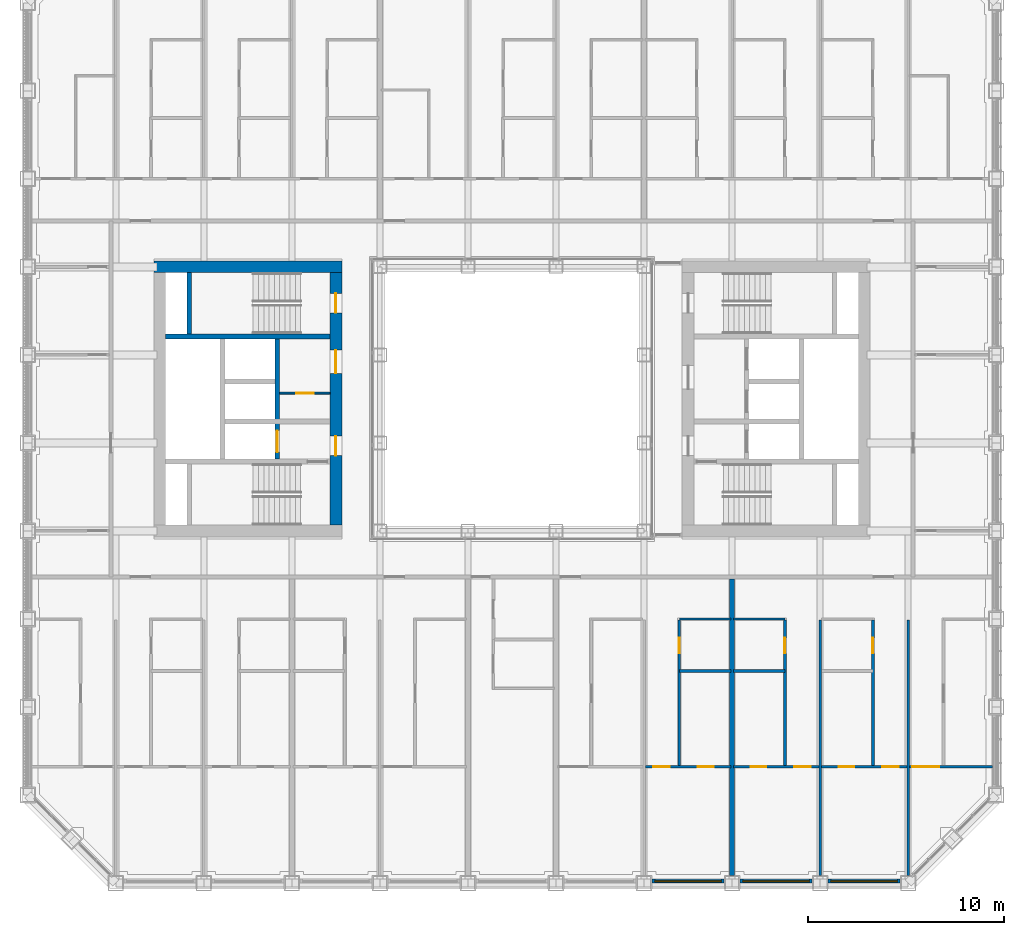
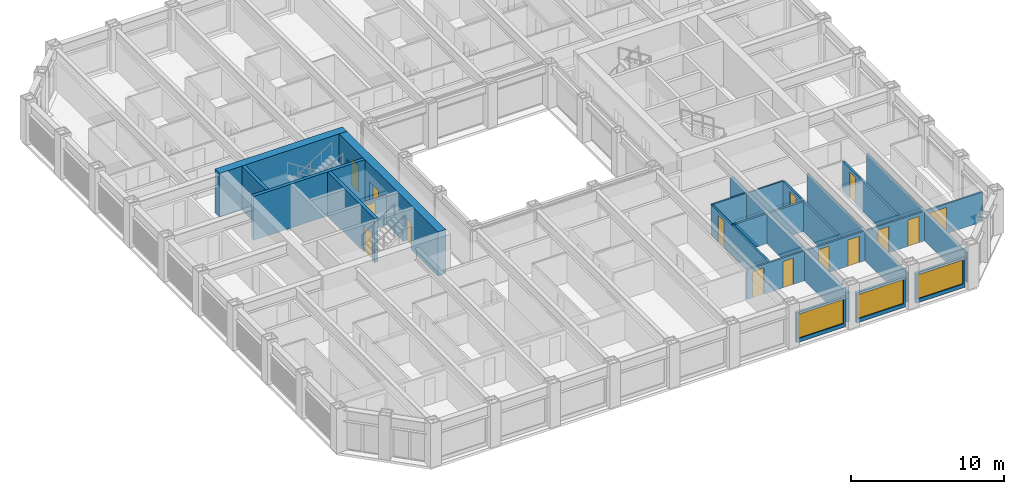
# One storey, part 11 of 21: 23 walls, 15 doors, 3 windows, 18 openings.
"""IFC4 building model written with IfcOpenShell, lengths in metres."""

from ifc_helpers import new_model, si_unit, direction, frame, frame_2d, origin, place, context, subcontext, project, spatial, rectangle, extrude, material, layer, layer_set, type_object, element, fill, save


model = new_model("IFC4")

# Units and contexts
model_context = context("Model", 3, precision=1e-05, world=origin(), true_north=direction((0.0, 1.0)))
body_context = subcontext(model_context, "Body", "Model", "MODEL_VIEW")
ifc_project = project(units=[si_unit("LENGTHUNIT", "METRE"), si_unit("AREAUNIT", "SQUARE_METRE"), si_unit("VOLUMEUNIT", "CUBIC_METRE"), si_unit("PLANEANGLEUNIT", "RADIAN"), si_unit("MASSUNIT", "GRAM", prefix="KILO")], contexts=[model_context])

# Site, building, storey
site_placement = place(None, origin())
site = spatial("IfcSite", under=ifc_project, at=site_placement, CompositionType="ELEMENT")
building_placement = place(site_placement, origin())
building = spatial("IfcBuilding", under=site, at=building_placement, Name="Msasa Ring Tower", CompositionType="ELEMENT")
storey_placement = place(building_placement, frame((0.0, 0.0, 72.0)))
storey = spatial("IfcBuildingStorey", under=building, at=storey_placement, Name="L18", CompositionType="ELEMENT", Elevation=72.0)

# Wall
ifc_material_1 = material(Name="Concrete C60/75", Category="concrete")
ifc_layer_1 = layer(ifc_material_1, 0.60009765625)
ifc_layer_set_1 = layer_set([ifc_layer_1], Name="CW1 CORE WALL 600")
wall_type_1 = type_object("IfcWallType", Name="CW1 CORE WALL 600", PredefinedType="SHEAR", material=ifc_layer_set_1)
wall_1_placement = place(storey_placement, frame((-8.699951171875, 6.75, 0.0), z_axis=(0.0, 0.0, 1.0), x_axis=(-1.0, 0.0, 0.0)))
element("IfcWall", 1, at=wall_1_placement, inside=storey, type_object=wall_type_1, Name="W core wall N L18", PredefinedType="SHEAR", context=body_context, shape_type="SweptSolid", body=[
    extrude(rectangle(XDim=9.60009765625, YDim=0.60009765625, at=frame_2d((4.800048828125, 0.0))), origin(), (0.0, 0.0, 1.0), 3.5),
])

# Wall, openings, doors
wall_2_placement = place(storey_placement, frame((-9.0, -6.449951171875, 0.0), z_axis=(0.0, 0.0, 1.0), x_axis=(0.0, 1.0, 0.0)))
wall_2 = element("IfcWall", 2, at=wall_2_placement, inside=storey, type_object=wall_type_1, Name="W core wall W L18", PredefinedType="SHEAR", context=body_context, shape_type="SweptSolid", body=[
    extrude(rectangle(XDim=12.89990234375, YDim=0.60009765625, at=frame_2d((6.449951171875, 0.0))), origin(), (0.0, 0.0, 1.0), 3.5),
])
opening_1_placement = place(wall_2_placement, frame((3.550048828125, 0.0, 0.0)))
opening_1 = element("IfcOpeningElement", 3, at=opening_1_placement, cuts=wall_2, Name="Opening RE-049", PredefinedType="OPENING", context=body_context, shape_type="SweptSolid", body=[
    extrude(rectangle(XDim=1.0, YDim=2.10009765625, at=frame_2d((0.5, 1.050048828125))), frame((0.0, 0.31005859375, 0.0), z_axis=(0.0, -1.0, 0.0), x_axis=(1.0, 0.0, 0.0)), (0.0, 0.0, 1.0), 0.6201171875),
])
opening_2_placement = place(wall_2_placement, frame((7.75, 0.0, 0.0)))
opening_2 = element("IfcOpeningElement", 4, at=opening_2_placement, cuts=wall_2, Name="Opening RE-044", PredefinedType="OPENING", context=body_context, shape_type="SweptSolid", body=[
    extrude(rectangle(XDim=1.199951171875, YDim=2.10009765625, at=frame_2d((0.60009765625, 1.050048828125))), frame((0.0, 0.31005859375, 0.0), z_axis=(0.0, -1.0, 0.0), x_axis=(1.0, 0.0, 0.0)), (0.0, 0.0, 1.0), 0.6201171875),
])
opening_3_placement = place(wall_2_placement, frame((10.85009765625, 0.0, 0.0)))
opening_3 = element("IfcOpeningElement", 5, at=opening_3_placement, cuts=wall_2, Name="Opening RE-040", PredefinedType="OPENING", context=body_context, shape_type="SweptSolid", body=[
    extrude(rectangle(XDim=1.0, YDim=2.10009765625, at=frame_2d((0.5, 1.050048828125))), frame((0.0, 0.31005859375, 0.0), z_axis=(0.0, -1.0, 0.0), x_axis=(1.0, 0.0, 0.0)), (0.0, 0.0, 1.0), 0.6201171875),
])
ifc_material_2 = material(Name="Timber door leaf in a steel frame", Category="steel")
door_type_1 = type_object("IfcDoorType", Name="D26 WIDE SERVICE ROOM DOOR 1200x2100", OperationType="SINGLE_SWING_LEFT", PredefinedType="DOOR", material=ifc_material_2)
door_1_placement = place(opening_2_placement, origin())
door_1 = element("IfcDoor", 6, at=door_1_placement, inside=storey, type_object=door_type_1, Name="Door L18-WCR", OperationType="SINGLE_SWING_RIGHT", OverallHeight=2.10009765625, OverallWidth=1.199951171875, PredefinedType="DOOR", context=body_context, shape_type="SweptSolid", body=[
    extrude(rectangle(XDim=1.199951171875, YDim=2.10009765625, at=frame_2d((0.60009765625, 1.050048828125))), frame((0.0, 0.02490234375, 0.0), z_axis=(0.0, -1.0, 0.0), x_axis=(1.0, 0.0, 0.0)), (0.0, 0.0, 1.0), 0.050048828125),
])
fill(opening_2, door_1)
ifc_material_3 = material(Name="Timber door leaf in a steel frame", Category="steel")
door_type_2 = type_object("IfcDoorType", Name="D4 LOBBY DOOR 1000x2100", OperationType="SINGLE_SWING_LEFT", PredefinedType="DOOR", material=ifc_material_3)
door_2_placement = place(opening_1_placement, origin())
door_2 = element("IfcDoor", 7, at=door_2_placement, inside=storey, type_object=door_type_2, Name="Door L18-WFFL", OperationType="SINGLE_SWING_LEFT", OverallHeight=2.10009765625, OverallWidth=1.0, PredefinedType="DOOR", context=body_context, shape_type="SweptSolid", body=[
    extrude(rectangle(XDim=1.0, YDim=2.10009765625, at=frame_2d((0.5, 1.050048828125))), frame((0.0, 0.02490234375, 0.0), z_axis=(0.0, -1.0, 0.0), x_axis=(1.0, 0.0, 0.0)), (0.0, 0.0, 1.0), 0.050048828125),
])
fill(opening_1, door_2)
ifc_material_4 = material(Name="Timber door leaf in a steel frame", Category="steel")
door_type_3 = type_object("IfcDoorType", Name="D6 STAIR DOOR 1000x2100", OperationType="SINGLE_SWING_LEFT", PredefinedType="DOOR", material=ifc_material_4)
door_3_placement = place(opening_3_placement, origin())
door_3 = element("IfcDoor", 8, at=door_3_placement, inside=storey, type_object=door_type_3, Name="Door L18-WSTB", OperationType="SINGLE_SWING_RIGHT", OverallHeight=2.10009765625, OverallWidth=1.0, PredefinedType="DOOR", context=body_context, shape_type="SweptSolid", body=[
    extrude(rectangle(XDim=1.0, YDim=2.10009765625, at=frame_2d((0.5, 1.050048828125))), frame((0.0, 0.02490234375, 0.0), z_axis=(0.0, -1.0, 0.0), x_axis=(1.0, 0.0, 0.0)), (0.0, 0.0, 1.0), 0.050048828125),
])
fill(opening_3, door_3)

# Walls
ifc_material_5 = material(Name="Concrete C60/75", Category="concrete")
ifc_layer_2 = layer(ifc_material_5, 0.25)
ifc_layer_set_2 = layer_set([ifc_layer_2], Name="CW4 CORE INNER WALL 250")
wall_type_2 = type_object("IfcWallType", Name="CW4 CORE INNER WALL 250", PredefinedType="SHEAR", material=ifc_layer_set_2)
wall_3_placement = place(storey_placement, frame((-9.300048828125, 3.199951171875, 0.0), z_axis=(0.0, 0.0, 1.0), x_axis=(-1.0, 0.0, 0.0)))
element("IfcWall", 9, at=wall_3_placement, inside=storey, type_object=wall_type_2, Name="W core wall STAIRB L18", PredefinedType="SHEAR", context=body_context, shape_type="SweptSolid", body=[
    extrude(rectangle(XDim=8.39990234375, YDim=0.25, at=frame_2d((4.199951171875, 0.0))), origin(), (0.0, 0.0, 1.0), 3.5),
])
wall_4_placement = place(storey_placement, frame((-16.5, 3.324951171875, 0.0), z_axis=(0.0, 0.0, 1.0), x_axis=(0.0, 1.0, 0.0)))
element("IfcWall", 10, at=wall_4_placement, inside=storey, type_object=wall_type_2, Name="W core wall RISERB L18", PredefinedType="SHEAR", context=body_context, shape_type="SweptSolid", body=[
    extrude(rectangle(XDim=3.125, YDim=0.25, at=frame_2d((1.5625, 0.0))), origin(), (0.0, 0.0, 1.0), 3.5),
])

# Wall, opening, door
wall_5_placement = place(storey_placement, frame((-12.0, -3.074951171875, 0.0), z_axis=(0.0, 0.0, 1.0), x_axis=(0.0, 1.0, 0.0)))
wall_5 = element("IfcWall", 11, at=wall_5_placement, inside=storey, type_object=wall_type_2, Name="W core wall LOBBY L18", PredefinedType="SHEAR", context=body_context, shape_type="SweptSolid", body=[
    extrude(rectangle(XDim=6.14990234375, YDim=0.25, at=frame_2d((3.074951171875, 0.0))), origin(), (0.0, 0.0, 1.0), 3.5),
])
opening_4_placement = place(wall_5_placement, frame((0.35009765625, 0.0, 0.0)))
opening_4 = element("IfcOpeningElement", 12, at=opening_4_placement, cuts=wall_5, Name="Opening LD1", PredefinedType="OPENING", context=body_context, shape_type="SweptSolid", body=[
    extrude(rectangle(XDim=1.10009765625, YDim=2.10009765625, at=frame_2d((0.550048828125, 1.050048828125))), frame((0.0, 0.135009765625, 0.0), z_axis=(0.0, -1.0, 0.0), x_axis=(1.0, 0.0, 0.0)), (0.0, 0.0, 1.0), 0.27001953125),
])
ifc_material_6 = material(Name="Stainless steel lift landing door", Category="steel")
door_type_4 = type_object("IfcDoorType", Name="LD1 LIFT LANDING DOOR 1100x2100", OperationType="DOUBLE_DOOR_SLIDING", PredefinedType="DOOR", material=ifc_material_6)
door_4_placement = place(opening_4_placement, origin())
door_4 = element("IfcDoor", 13, at=door_4_placement, inside=storey, type_object=door_type_4, Name="Lift landing door FL-W L18", OperationType="DOUBLE_DOOR_SLIDING", OverallHeight=2.10009765625, OverallWidth=1.10009765625, PredefinedType="DOOR", context=body_context, shape_type="SweptSolid", body=[
    extrude(rectangle(XDim=1.10009765625, YDim=2.10009765625, at=frame_2d((0.550048828125, 1.050048828125))), frame((0.0, 0.02490234375, 0.0), z_axis=(0.0, -1.0, 0.0), x_axis=(1.0, 0.0, 0.0)), (0.0, 0.0, 1.0), 0.050048828125),
])
fill(opening_4, door_4)

# Wall, opening, window
ifc_material_7 = material(Name="Terracotta rainscreen on blockwork", Category="masonry")
ifc_layer_3 = layer(ifc_material_7, 0.199951171875)
ifc_layer_set_3 = layer_set([ifc_layer_3], Name="FW1 TERRACOTTA-LINED INFILL BAY WALL 200")
wall_type_3 = type_object("IfcWallType", Name="FW1 TERRACOTTA-LINED INFILL BAY WALL 200", PredefinedType="SOLIDWALL", material=ifc_layer_set_3)
wall_6_placement = place(storey_placement, frame((7.155029296875, -24.64990234375, 0.0), z_axis=(0.0, 0.0, 1.0), x_axis=(1.0, 0.0, 0.0)))
wall_6 = element("IfcWall", 14, at=wall_6_placement, inside=storey, type_object=wall_type_3, Name="Infill bay wall S L18 06", PredefinedType="SOLIDWALL", context=body_context, shape_type="SweptSolid", body=[
    extrude(rectangle(XDim=3.68994140625, YDim=0.199951171875, at=frame_2d((1.844970703125, 0.0))), origin(), (0.0, 0.0, 1.0), 2.37890625),
])
opening_5_placement = place(wall_6_placement, frame((0.14501953125, 0.0, 0.300048828125)))
opening_5 = element("IfcOpeningElement", 15, at=opening_5_placement, cuts=wall_6, Name="Opening WN1", PredefinedType="OPENING", context=body_context, shape_type="SweptSolid", body=[
    extrude(rectangle(XDim=3.39990234375, YDim=1.928955078125, at=frame_2d((1.699951171875, 0.96435546875))), frame((0.0, 0.10986328125, 0.0), z_axis=(0.0, -1.0, 0.0), x_axis=(1.0, 0.0, 0.0)), (0.0, 0.0, 1.0), 0.219970703125),
])
ifc_material_8 = material(Name="Aluminium frame with clear glass", Category="aluminium")
window_type = type_object("IfcWindowType", Name="WN1 RESIDENCE WINDOW 3400x1929", PartitioningType="SINGLE_PANEL", PredefinedType="WINDOW", material=ifc_material_8)
window_1_placement = place(opening_5_placement, origin())
window_1 = element("IfcWindow", 16, at=window_1_placement, inside=storey, type_object=window_type, Name="Window S L18 06", OverallHeight=1.928955078125, OverallWidth=3.39990234375, PartitioningType="SINGLE_PANEL", PredefinedType="WINDOW", context=body_context, shape_type="SweptSolid", body=[
    extrude(rectangle(XDim=3.39990234375, YDim=1.928955078125, at=frame_2d((1.699951171875, 0.96435546875))), frame((0.0, 0.030029296875, 0.0), z_axis=(0.0, -1.0, 0.0), x_axis=(1.0, 0.0, 0.0)), (0.0, 0.0, 1.0), 0.06005859375),
])
fill(opening_5, window_1)

wall_7_placement = place(storey_placement, frame((11.655029296875, -24.64990234375, 0.0), z_axis=(0.0, 0.0, 1.0), x_axis=(1.0, 0.0, 0.0)))
wall_7 = element("IfcWall", 17, at=wall_7_placement, inside=storey, type_object=wall_type_3, Name="Infill bay wall S L18 07", PredefinedType="SOLIDWALL", context=body_context, shape_type="SweptSolid", body=[
    extrude(rectangle(XDim=3.68994140625, YDim=0.199951171875, at=frame_2d((1.844970703125, 0.0))), origin(), (0.0, 0.0, 1.0), 2.37890625),
])
opening_6_placement = place(wall_7_placement, frame((0.14501953125, 0.0, 0.300048828125)))
opening_6 = element("IfcOpeningElement", 18, at=opening_6_placement, cuts=wall_7, Name="Opening WN1", PredefinedType="OPENING", context=body_context, shape_type="SweptSolid", body=[
    extrude(rectangle(XDim=3.39990234375, YDim=1.928955078125, at=frame_2d((1.699951171875, 0.96435546875))), frame((0.0, 0.10986328125, 0.0), z_axis=(0.0, -1.0, 0.0), x_axis=(1.0, 0.0, 0.0)), (0.0, 0.0, 1.0), 0.219970703125),
])
window_2_placement = place(opening_6_placement, origin())
window_2 = element("IfcWindow", 19, at=window_2_placement, inside=storey, type_object=window_type, Name="Window S L18 07", OverallHeight=1.928955078125, OverallWidth=3.39990234375, PartitioningType="SINGLE_PANEL", PredefinedType="WINDOW", context=body_context, shape_type="SweptSolid", body=[
    extrude(rectangle(XDim=3.39990234375, YDim=1.928955078125, at=frame_2d((1.699951171875, 0.96435546875))), frame((0.0, 0.030029296875, 0.0), z_axis=(0.0, -1.0, 0.0), x_axis=(1.0, 0.0, 0.0)), (0.0, 0.0, 1.0), 0.06005859375),
])
fill(opening_6, window_2)

wall_8_placement = place(storey_placement, frame((16.155029296875, -24.64990234375, 0.0), z_axis=(0.0, 0.0, 1.0), x_axis=(1.0, 0.0, 0.0)))
wall_8 = element("IfcWall", 20, at=wall_8_placement, inside=storey, type_object=wall_type_3, Name="Infill bay wall S L18 08", PredefinedType="SOLIDWALL", context=body_context, shape_type="SweptSolid", body=[
    extrude(rectangle(XDim=3.68994140625, YDim=0.199951171875, at=frame_2d((1.844970703125, 0.0))), origin(), (0.0, 0.0, 1.0), 2.37890625),
])
opening_7_placement = place(wall_8_placement, frame((0.14501953125, 0.0, 0.300048828125)))
opening_7 = element("IfcOpeningElement", 21, at=opening_7_placement, cuts=wall_8, Name="Opening WN1", PredefinedType="OPENING", context=body_context, shape_type="SweptSolid", body=[
    extrude(rectangle(XDim=3.39990234375, YDim=1.928955078125, at=frame_2d((1.699951171875, 0.96435546875))), frame((0.0, 0.10986328125, 0.0), z_axis=(0.0, -1.0, 0.0), x_axis=(1.0, 0.0, 0.0)), (0.0, 0.0, 1.0), 0.219970703125),
])
window_3_placement = place(opening_7_placement, origin())
window_3 = element("IfcWindow", 22, at=window_3_placement, inside=storey, type_object=window_type, Name="Window S L18 08", OverallHeight=1.928955078125, OverallWidth=3.39990234375, PartitioningType="SINGLE_PANEL", PredefinedType="WINDOW", context=body_context, shape_type="SweptSolid", body=[
    extrude(rectangle(XDim=3.39990234375, YDim=1.928955078125, at=frame_2d((1.699951171875, 0.96435546875))), frame((0.0, 0.030029296875, 0.0), z_axis=(0.0, -1.0, 0.0), x_axis=(1.0, 0.0, 0.0)), (0.0, 0.0, 1.0), 0.06005859375),
])
fill(opening_7, window_3)

# Wall, opening, door
ifc_material_9 = material(Name="Gypsum board on steel studs", Category="steel")
ifc_layer_4 = layer(ifc_material_9, 0.10009765625)
ifc_layer_set_4 = layer_set([ifc_layer_4], Name="PT2 STUD PARTITION 100")
wall_type_4 = type_object("IfcWallType", Name="PT2 STUD PARTITION 100", PredefinedType="PARTITIONING", material=ifc_layer_set_4)
wall_9_placement = place(storey_placement, frame((-11.875, 0.300048828125, 0.0), z_axis=(0.0, 0.0, 1.0), x_axis=(1.0, 0.0, 0.0)))
wall_9 = element("IfcWall", 23, at=wall_9_placement, inside=storey, type_object=wall_type_4, Name="Partition L18-WCP", PredefinedType="PARTITIONING", context=body_context, shape_type="SweptSolid", body=[
    extrude(rectangle(XDim=2.574951171875, YDim=0.10009765625, at=frame_2d((1.28759765625, 0.0))), origin(), (0.0, 0.0, 1.0), 2.373291015625),
])
opening_8_placement = place(wall_9_placement, frame((0.83740234375, 0.0, 0.0)))
opening_8 = element("IfcOpeningElement", 24, at=opening_8_placement, cuts=wall_9, Name="Opening RE-046", PredefinedType="OPENING", context=body_context, shape_type="SweptSolid", body=[
    extrude(rectangle(XDim=0.89990234375, YDim=2.10009765625, at=frame_2d((0.449951171875, 1.050048828125))), frame((0.0, 0.06005859375, 0.0), z_axis=(0.0, -1.0, 0.0), x_axis=(1.0, 0.0, 0.0)), (0.0, 0.0, 1.0), 0.1201171875),
])
ifc_material_10 = material(Name="Timber door leaf in a steel frame", Category="steel")
door_type_5 = type_object("IfcDoorType", Name="D22 INTERNAL HALL DOOR 900x2100", OperationType="SINGLE_SWING_LEFT", PredefinedType="DOOR", material=ifc_material_10)
door_5_placement = place(opening_8_placement, origin())
door_5 = element("IfcDoor", 25, at=door_5_placement, inside=storey, type_object=door_type_5, Name="Door L18-WCP", OperationType="SINGLE_SWING_LEFT", OverallHeight=2.10009765625, OverallWidth=0.89990234375, PredefinedType="DOOR", context=body_context, shape_type="SweptSolid", body=[
    extrude(rectangle(XDim=0.89990234375, YDim=2.10009765625, at=frame_2d((0.449951171875, 1.050048828125))), frame((0.0, 0.02490234375, 0.0), z_axis=(0.0, -1.0, 0.0), x_axis=(1.0, 0.0, 0.0)), (0.0, 0.0, 1.0), 0.050048828125),
])
fill(opening_8, door_5)

# Wall
ifc_material_11 = material(Name="Dense concrete blockwork, plastered both faces", Category="masonry")
ifc_layer_5 = layer(ifc_material_11, 0.25)
ifc_layer_set_5 = layer_set([ifc_layer_5], Name="PT3 APARTMENT SEPARATING WALL 250")
wall_type_5 = type_object("IfcWallType", Name="PT3 APARTMENT SEPARATING WALL 250", PredefinedType="PARTITIONING", material=ifc_layer_set_5)
wall_10_placement = place(storey_placement, frame((11.25, -24.35009765625, 0.0), z_axis=(0.0, 0.0, 1.0), x_axis=(0.0, 1.0, 0.0)))
element("IfcWall", 26, at=wall_10_placement, inside=storey, type_object=wall_type_5, Name="Party wall L18-PWS+11.25", PredefinedType="PARTITIONING", context=body_context, shape_type="SweptSolid", body=[
    extrude(rectangle(XDim=15.150146484375, YDim=0.25, at=frame_2d((7.5751953125, 0.0))), origin(), (0.0, 0.0, 1.0), 2.373291015625),
])

# Wall, opening, door
ifc_material_12 = material(Name="Moisture-resistant board on steel studs with a concealed cistern and pipe void, tiled", Category="steel")
ifc_layer_6 = layer(ifc_material_12, 0.14990234375)
ifc_layer_set_6 = layer_set([ifc_layer_6], Name="PT4 BATHROOM WET WALL 150")
wall_type_6 = type_object("IfcWallType", Name="PT4 BATHROOM WET WALL 150", PredefinedType="PARTITIONING", material=ifc_layer_set_6)
wall_11_placement = place(storey_placement, frame((8.550048828125, -18.8125, 0.0), z_axis=(0.0, 0.0, 1.0), x_axis=(0.0, 1.0, 0.0)))
wall_11 = element("IfcWall", 27, at=wall_11_placement, inside=storey, type_object=wall_type_6, Name="Partition L18-US03SX1", PredefinedType="PARTITIONING", context=body_context, shape_type="SweptSolid", body=[
    extrude(rectangle(XDim=7.5, YDim=0.14990234375, at=frame_2d((3.75, 0.0))), origin(), (0.0, 0.0, 1.0), 2.373291015625),
])
opening_9_placement = place(wall_11_placement, frame((5.800048828125, 0.0, 0.0)))
opening_9 = element("IfcOpeningElement", 28, at=opening_9_placement, cuts=wall_11, Name="Opening RE-065", PredefinedType="OPENING", context=body_context, shape_type="SweptSolid", body=[
    extrude(rectangle(XDim=0.800048828125, YDim=2.10009765625, at=frame_2d((0.39990234375, 1.050048828125))), frame((0.0, 0.0849609375, 0.0), z_axis=(0.0, -1.0, 0.0), x_axis=(1.0, 0.0, 0.0)), (0.0, 0.0, 1.0), 0.169921875),
])
ifc_material_13 = material(Name="Timber door leaf in a steel frame", Category="steel")
door_type_6 = type_object("IfcDoorType", Name="D21 POCKET SLIDING BATHROOM DOOR 800x2100", OperationType="SINGLE_SWING_LEFT", PredefinedType="DOOR", material=ifc_material_13)
door_6_placement = place(opening_9_placement, origin())
door_6 = element("IfcDoor", 29, at=door_6_placement, inside=storey, type_object=door_type_6, Name="Door L18-US03B1", OperationType="SINGLE_SWING_RIGHT", OverallHeight=2.10009765625, OverallWidth=0.800048828125, PredefinedType="DOOR", context=body_context, shape_type="SweptSolid", body=[
    extrude(rectangle(XDim=0.800048828125, YDim=2.10009765625, at=frame_2d((0.39990234375, 1.050048828125))), frame((0.0, 0.02490234375, 0.0), z_axis=(0.0, -1.0, 0.0), x_axis=(1.0, 0.0, 0.0)), (0.0, 0.0, 1.0), 0.050048828125),
])
fill(opening_9, door_6)

# Wall
wall_12_placement = place(storey_placement, frame((8.550048828125, -13.91259765625, 0.0), z_axis=(0.0, 0.0, 1.0), x_axis=(1.0, 0.0, 0.0)))
element("IfcWall", 30, at=wall_12_placement, inside=storey, type_object=wall_type_6, Name="Partition L18-US03SB1", PredefinedType="PARTITIONING", context=body_context, shape_type="SweptSolid", body=[
    extrude(rectangle(XDim=2.632568359375, YDim=0.14990234375, at=frame_2d((1.31640625, 0.0))), origin(), (0.0, 0.0, 1.0), 2.373291015625),
])

# Wall, opening, door
wall_13_placement = place(storey_placement, frame((18.449951171875, -18.8125, 0.0), z_axis=(0.0, 0.0, 1.0), x_axis=(0.0, 1.0, 0.0)))
wall_13 = element("IfcWall", 31, at=wall_13_placement, inside=storey, type_object=wall_type_6, Name="Partition L18-US04SX1", PredefinedType="PARTITIONING", context=body_context, shape_type="SweptSolid", body=[
    extrude(rectangle(XDim=7.5, YDim=0.14990234375, at=frame_2d((3.75, 0.0))), origin(), (0.0, 0.0, 1.0), 2.373291015625),
])
opening_10_placement = place(wall_13_placement, frame((5.800048828125, 0.0, 0.0)))
opening_10 = element("IfcOpeningElement", 32, at=opening_10_placement, cuts=wall_13, Name="Opening RE-067", PredefinedType="OPENING", context=body_context, shape_type="SweptSolid", body=[
    extrude(rectangle(XDim=0.800048828125, YDim=2.10009765625, at=frame_2d((0.39990234375, 1.050048828125))), frame((0.0, 0.0849609375, 0.0), z_axis=(0.0, -1.0, 0.0), x_axis=(1.0, 0.0, 0.0)), (0.0, 0.0, 1.0), 0.169921875),
])
door_7_placement = place(opening_10_placement, origin())
door_7 = element("IfcDoor", 33, at=door_7_placement, inside=storey, type_object=door_type_6, Name="Door L18-US04B1", OperationType="SINGLE_SWING_RIGHT", OverallHeight=2.10009765625, OverallWidth=0.800048828125, PredefinedType="DOOR", context=body_context, shape_type="SweptSolid", body=[
    extrude(rectangle(XDim=0.800048828125, YDim=2.10009765625, at=frame_2d((0.39990234375, 1.050048828125))), frame((0.0, 0.02490234375, 0.0), z_axis=(0.0, -1.0, 0.0), x_axis=(1.0, 0.0, 0.0)), (0.0, 0.0, 1.0), 0.050048828125),
])
fill(opening_10, door_7)

wall_14_placement = place(storey_placement, frame((13.949951171875, -18.8125, 0.0), z_axis=(0.0, 0.0, 1.0), x_axis=(0.0, 1.0, 0.0)))
wall_14 = element("IfcWall", 34, at=wall_14_placement, inside=storey, type_object=wall_type_6, Name="Partition L18-US04SX2", PredefinedType="PARTITIONING", context=body_context, shape_type="SweptSolid", body=[
    extrude(rectangle(XDim=7.5, YDim=0.14990234375, at=frame_2d((3.75, 0.0))), origin(), (0.0, 0.0, 1.0), 2.373291015625),
])
opening_11_placement = place(wall_14_placement, frame((5.800048828125, 0.0, 0.0)))
opening_11 = element("IfcOpeningElement", 35, at=opening_11_placement, cuts=wall_14, Name="Opening RE-066", PredefinedType="OPENING", context=body_context, shape_type="SweptSolid", body=[
    extrude(rectangle(XDim=0.800048828125, YDim=2.10009765625, at=frame_2d((0.39990234375, 1.050048828125))), frame((0.0, 0.0849609375, 0.0), z_axis=(0.0, -1.0, 0.0), x_axis=(1.0, 0.0, 0.0)), (0.0, 0.0, 1.0), 0.169921875),
])
door_8_placement = place(opening_11_placement, origin())
door_8 = element("IfcDoor", 36, at=door_8_placement, inside=storey, type_object=door_type_6, Name="Door L18-US04B2", OperationType="SINGLE_SWING_RIGHT", OverallHeight=2.10009765625, OverallWidth=0.800048828125, PredefinedType="DOOR", context=body_context, shape_type="SweptSolid", body=[
    extrude(rectangle(XDim=0.800048828125, YDim=2.10009765625, at=frame_2d((0.39990234375, 1.050048828125))), frame((0.0, 0.02490234375, 0.0), z_axis=(0.0, -1.0, 0.0), x_axis=(1.0, 0.0, 0.0)), (0.0, 0.0, 1.0), 0.050048828125),
])
fill(opening_11, door_8)

# Walls
wall_15_placement = place(storey_placement, frame((11.3173828125, -13.91259765625, 0.0), z_axis=(0.0, 0.0, 1.0), x_axis=(1.0, 0.0, 0.0)))
element("IfcWall", 37, at=wall_15_placement, inside=storey, type_object=wall_type_6, Name="Partition L18-US04SB2", PredefinedType="PARTITIONING", context=body_context, shape_type="SweptSolid", body=[
    extrude(rectangle(XDim=2.632568359375, YDim=0.14990234375, at=frame_2d((1.31640625, 0.0))), origin(), (0.0, 0.0, 1.0), 2.373291015625),
])
ifc_material_14 = material(Name="Two layers of acoustic board each face on steel studs, mineral wool", Category="steel")
ifc_layer_7 = layer(ifc_material_14, 0.125)
ifc_layer_set_7 = layer_set([ifc_layer_7], Name="PT6 ACOUSTIC DOUBLE-BOARD PARTITION 125")
wall_type_7 = type_object("IfcWallType", Name="PT6 ACOUSTIC DOUBLE-BOARD PARTITION 125", PredefinedType="PARTITIONING", material=ifc_layer_set_7)
wall_16_placement = place(storey_placement, frame((8.550048828125, -11.25, 0.0), z_axis=(0.0, 0.0, 1.0), x_axis=(1.0, 0.0, 0.0)))
element("IfcWall", 38, at=wall_16_placement, inside=storey, type_object=wall_type_7, Name="Partition L18-US03HY1", PredefinedType="PARTITIONING", context=body_context, shape_type="SweptSolid", body=[
    extrude(rectangle(XDim=2.632568359375, YDim=0.125, at=frame_2d((1.31640625, 0.0))), origin(), (0.0, 0.0, 1.0), 2.373291015625),
])

# Wall, openings, doors
wall_17_placement = place(storey_placement, frame((6.8125, -18.8125, 0.0), z_axis=(0.0, 0.0, 1.0), x_axis=(1.0, 0.0, 0.0)))
wall_17 = element("IfcWall", 39, at=wall_17_placement, inside=storey, type_object=wall_type_7, Name="Partition L18-US03SY1", PredefinedType="PARTITIONING", context=body_context, shape_type="SweptSolid", body=[
    extrude(rectangle(XDim=4.3701171875, YDim=0.125, at=frame_2d((2.18505859375, 0.0))), origin(), (0.0, 0.0, 1.0), 2.373291015625),
])
opening_12_placement = place(wall_17_placement, frame((0.41259765625, 0.0, 0.0)))
opening_12 = element("IfcOpeningElement", 40, at=opening_12_placement, cuts=wall_17, Name="Opening RE-082", PredefinedType="OPENING", context=body_context, shape_type="SweptSolid", body=[
    extrude(rectangle(XDim=0.85009765625, YDim=2.10009765625, at=frame_2d((0.425048828125, 1.050048828125))), frame((0.0, 0.072509765625, 0.0), z_axis=(0.0, -1.0, 0.0), x_axis=(1.0, 0.0, 0.0)), (0.0, 0.0, 1.0), 0.14501953125),
])
opening_13_placement = place(wall_17_placement, frame((2.693603515625, 0.0, 0.0)))
opening_13 = element("IfcOpeningElement", 41, at=opening_13_placement, cuts=wall_17, Name="Opening RE-083", PredefinedType="OPENING", context=body_context, shape_type="SweptSolid", body=[
    extrude(rectangle(XDim=0.800048828125, YDim=2.10009765625, at=frame_2d((0.39990234375, 1.050048828125))), frame((0.0, 0.072509765625, 0.0), z_axis=(0.0, -1.0, 0.0), x_axis=(1.0, 0.0, 0.0)), (0.0, 0.0, 1.0), 0.14501953125),
])
ifc_material_15 = material(Name="Timber door leaf in a steel frame", Category="steel")
door_type_7 = type_object("IfcDoorType", Name="D14 BEDROOM DOOR 850x2100", OperationType="SINGLE_SWING_LEFT", PredefinedType="DOOR", material=ifc_material_15)
door_9_placement = place(opening_12_placement, origin())
door_9 = element("IfcDoor", 42, at=door_9_placement, inside=storey, type_object=door_type_7, Name="Door L18-US03R1", OperationType="SINGLE_SWING_LEFT", OverallHeight=2.10009765625, OverallWidth=0.85009765625, PredefinedType="DOOR", context=body_context, shape_type="SweptSolid", body=[
    extrude(rectangle(XDim=0.85009765625, YDim=2.10009765625, at=frame_2d((0.425048828125, 1.050048828125))), frame((0.0, 0.02490234375, 0.0), z_axis=(0.0, -1.0, 0.0), x_axis=(1.0, 0.0, 0.0)), (0.0, 0.0, 1.0), 0.050048828125),
])
fill(opening_12, door_9)
ifc_material_16 = material(Name="Timber door leaf in a steel frame", Category="steel")
door_type_8 = type_object("IfcDoorType", Name="D60 DRESSING ROOM DOOR 800x2100", OperationType="SINGLE_SWING_LEFT", PredefinedType="DOOR", material=ifc_material_16)
door_10_placement = place(opening_13_placement, origin())
door_10 = element("IfcDoor", 43, at=door_10_placement, inside=storey, type_object=door_type_8, Name="Door L18-US03W1", OperationType="SINGLE_SWING_RIGHT", OverallHeight=2.10009765625, OverallWidth=0.800048828125, PredefinedType="DOOR", context=body_context, shape_type="SweptSolid", body=[
    extrude(rectangle(XDim=0.800048828125, YDim=2.10009765625, at=frame_2d((0.39990234375, 1.050048828125))), frame((0.0, 0.02490234375, 0.0), z_axis=(0.0, -1.0, 0.0), x_axis=(1.0, 0.0, 0.0)), (0.0, 0.0, 1.0), 0.050048828125),
])
fill(opening_13, door_10)

# Wall, opening, door
wall_18_placement = place(storey_placement, frame((20.3125, -18.8125, 0.0), z_axis=(0.0, 0.0, 1.0), x_axis=(1.0, 0.0, 0.0)))
wall_18 = element("IfcWall", 44, at=wall_18_placement, inside=storey, type_object=wall_type_7, Name="Partition L18-US04SY0", PredefinedType="PARTITIONING", context=body_context, shape_type="SweptSolid", body=[
    extrude(rectangle(XDim=4.237548828125, YDim=0.125, at=frame_2d((2.11865234375, 0.0))), origin(), (0.0, 0.0, 1.0), 2.373291015625),
])
opening_14_placement = place(wall_18_placement, frame((0.137451171875, 0.0, 0.0)))
opening_14 = element("IfcOpeningElement", 45, at=opening_14_placement, cuts=wall_18, Name="Opening RE-088", PredefinedType="OPENING", context=body_context, shape_type="SweptSolid", body=[
    extrude(rectangle(XDim=1.39990234375, YDim=2.10009765625, at=frame_2d((0.699951171875, 1.050048828125))), frame((0.0, 0.072509765625, 0.0), z_axis=(0.0, -1.0, 0.0), x_axis=(1.0, 0.0, 0.0)), (0.0, 0.0, 1.0), 0.14501953125),
])
ifc_material_17 = material(Name="Timber door leaf in a steel frame", Category="steel")
door_type_9 = type_object("IfcDoorType", Name="D15 LIVING ROOM PAIR OF GLAZED DOORS 1400x2100", OperationType="SINGLE_SWING_LEFT", PredefinedType="DOOR", material=ifc_material_17)
door_11_placement = place(opening_14_placement, origin())
door_11 = element("IfcDoor", 46, at=door_11_placement, inside=storey, type_object=door_type_9, Name="Door L18-US04L", OperationType="SINGLE_SWING_LEFT", OverallHeight=2.10009765625, OverallWidth=1.39990234375, PredefinedType="DOOR", context=body_context, shape_type="SweptSolid", body=[
    extrude(rectangle(XDim=1.39990234375, YDim=2.10009765625, at=frame_2d((0.699951171875, 1.050048828125))), frame((0.0, 0.02490234375, 0.0), z_axis=(0.0, -1.0, 0.0), x_axis=(1.0, 0.0, 0.0)), (0.0, 0.0, 1.0), 0.050048828125),
])
fill(opening_14, door_11)

# Wall
wall_19_placement = place(storey_placement, frame((20.25, -24.35009765625, 0.0), z_axis=(0.0, 0.0, 1.0), x_axis=(0.0, 1.0, 0.0)))
element("IfcWall", 47, at=wall_19_placement, inside=storey, type_object=wall_type_7, Name="Partition L18-US04P1", PredefinedType="PARTITIONING", context=body_context, shape_type="SweptSolid", body=[
    extrude(rectangle(XDim=13.03759765625, YDim=0.125, at=frame_2d((6.518798828125, 0.0))), origin(), (0.0, 0.0, 1.0), 2.373291015625),
])

# Wall, openings, doors
wall_20_placement = place(storey_placement, frame((15.8125, -18.8125, 0.0), z_axis=(0.0, 0.0, 1.0), x_axis=(1.0, 0.0, 0.0)))
wall_20 = element("IfcWall", 48, at=wall_20_placement, inside=storey, type_object=wall_type_7, Name="Partition L18-US04SY1", PredefinedType="PARTITIONING", context=body_context, shape_type="SweptSolid", body=[
    extrude(rectangle(XDim=4.375, YDim=0.125, at=frame_2d((2.1875, 0.0))), origin(), (0.0, 0.0, 1.0), 2.373291015625),
])
opening_15_placement = place(wall_20_placement, frame((3.112548828125, 0.0, 0.0)))
opening_15 = element("IfcOpeningElement", 49, at=opening_15_placement, cuts=wall_20, Name="Opening RE-087", PredefinedType="OPENING", context=body_context, shape_type="SweptSolid", body=[
    extrude(rectangle(XDim=0.85009765625, YDim=2.10009765625, at=frame_2d((0.425048828125, 1.050048828125))), frame((0.0, 0.072509765625, 0.0), z_axis=(0.0, -1.0, 0.0), x_axis=(1.0, 0.0, 0.0)), (0.0, 0.0, 1.0), 0.14501953125),
])
opening_16_placement = place(wall_20_placement, frame((0.88134765625, 0.0, 0.0)))
opening_16 = element("IfcOpeningElement", 50, at=opening_16_placement, cuts=wall_20, Name="Opening RE-086", PredefinedType="OPENING", context=body_context, shape_type="SweptSolid", body=[
    extrude(rectangle(XDim=0.800048828125, YDim=2.10009765625, at=frame_2d((0.39990234375, 1.050048828125))), frame((0.0, 0.072509765625, 0.0), z_axis=(0.0, -1.0, 0.0), x_axis=(1.0, 0.0, 0.0)), (0.0, 0.0, 1.0), 0.14501953125),
])
door_12_placement = place(opening_15_placement, origin())
door_12 = element("IfcDoor", 51, at=door_12_placement, inside=storey, type_object=door_type_7, Name="Door L18-US04R1", OperationType="SINGLE_SWING_RIGHT", OverallHeight=2.10009765625, OverallWidth=0.85009765625, PredefinedType="DOOR", context=body_context, shape_type="SweptSolid", body=[
    extrude(rectangle(XDim=0.85009765625, YDim=2.10009765625, at=frame_2d((0.425048828125, 1.050048828125))), frame((0.0, 0.02490234375, 0.0), z_axis=(0.0, -1.0, 0.0), x_axis=(1.0, 0.0, 0.0)), (0.0, 0.0, 1.0), 0.050048828125),
])
fill(opening_15, door_12)
door_13_placement = place(opening_16_placement, origin())
door_13 = element("IfcDoor", 52, at=door_13_placement, inside=storey, type_object=door_type_8, Name="Door L18-US04W1", OperationType="SINGLE_SWING_LEFT", OverallHeight=2.10009765625, OverallWidth=0.800048828125, PredefinedType="DOOR", context=body_context, shape_type="SweptSolid", body=[
    extrude(rectangle(XDim=0.800048828125, YDim=2.10009765625, at=frame_2d((0.39990234375, 1.050048828125))), frame((0.0, 0.02490234375, 0.0), z_axis=(0.0, -1.0, 0.0), x_axis=(1.0, 0.0, 0.0)), (0.0, 0.0, 1.0), 0.050048828125),
])
fill(opening_16, door_13)

# Walls
wall_21_placement = place(storey_placement, frame((15.75, -24.35009765625, 0.0), z_axis=(0.0, 0.0, 1.0), x_axis=(0.0, 1.0, 0.0)))
element("IfcWall", 53, at=wall_21_placement, inside=storey, type_object=wall_type_7, Name="Partition L18-US04P2", PredefinedType="PARTITIONING", context=body_context, shape_type="SweptSolid", body=[
    extrude(rectangle(XDim=13.03759765625, YDim=0.125, at=frame_2d((6.518798828125, 0.0))), origin(), (0.0, 0.0, 1.0), 2.373291015625),
])
wall_22_placement = place(storey_placement, frame((11.3173828125, -11.25, 0.0), z_axis=(0.0, 0.0, 1.0), x_axis=(1.0, 0.0, 0.0)))
element("IfcWall", 54, at=wall_22_placement, inside=storey, type_object=wall_type_7, Name="Partition L18-US04HY2", PredefinedType="PARTITIONING", context=body_context, shape_type="SweptSolid", body=[
    extrude(rectangle(XDim=2.632568359375, YDim=0.125, at=frame_2d((1.31640625, 0.0))), origin(), (0.0, 0.0, 1.0), 2.373291015625),
])

# Wall, openings, doors
wall_23_placement = place(storey_placement, frame((11.3173828125, -18.8125, 0.0), z_axis=(0.0, 0.0, 1.0), x_axis=(1.0, 0.0, 0.0)))
wall_23 = element("IfcWall", 55, at=wall_23_placement, inside=storey, type_object=wall_type_7, Name="Partition L18-US04SY2", PredefinedType="PARTITIONING", context=body_context, shape_type="SweptSolid", body=[
    extrude(rectangle(XDim=4.3701171875, YDim=0.125, at=frame_2d((2.18505859375, 0.0))), origin(), (0.0, 0.0, 1.0), 2.373291015625),
])
opening_17_placement = place(wall_23_placement, frame((3.107421875, 0.0, 0.0)))
opening_17 = element("IfcOpeningElement", 56, at=opening_17_placement, cuts=wall_23, Name="Opening RE-085", PredefinedType="OPENING", context=body_context, shape_type="SweptSolid", body=[
    extrude(rectangle(XDim=0.85009765625, YDim=2.10009765625, at=frame_2d((0.425048828125, 1.050048828125))), frame((0.0, 0.072509765625, 0.0), z_axis=(0.0, -1.0, 0.0), x_axis=(1.0, 0.0, 0.0)), (0.0, 0.0, 1.0), 0.14501953125),
])
opening_18_placement = place(wall_23_placement, frame((0.876220703125, 0.0, 0.0)))
opening_18 = element("IfcOpeningElement", 57, at=opening_18_placement, cuts=wall_23, Name="Opening RE-084", PredefinedType="OPENING", context=body_context, shape_type="SweptSolid", body=[
    extrude(rectangle(XDim=0.800048828125, YDim=2.10009765625, at=frame_2d((0.39990234375, 1.050048828125))), frame((0.0, 0.072509765625, 0.0), z_axis=(0.0, -1.0, 0.0), x_axis=(1.0, 0.0, 0.0)), (0.0, 0.0, 1.0), 0.14501953125),
])
door_14_placement = place(opening_17_placement, origin())
door_14 = element("IfcDoor", 58, at=door_14_placement, inside=storey, type_object=door_type_7, Name="Door L18-US04R2", OperationType="SINGLE_SWING_RIGHT", OverallHeight=2.10009765625, OverallWidth=0.85009765625, PredefinedType="DOOR", context=body_context, shape_type="SweptSolid", body=[
    extrude(rectangle(XDim=0.85009765625, YDim=2.10009765625, at=frame_2d((0.425048828125, 1.050048828125))), frame((0.0, 0.02490234375, 0.0), z_axis=(0.0, -1.0, 0.0), x_axis=(1.0, 0.0, 0.0)), (0.0, 0.0, 1.0), 0.050048828125),
])
fill(opening_17, door_14)
door_15_placement = place(opening_18_placement, origin())
door_15 = element("IfcDoor", 59, at=door_15_placement, inside=storey, type_object=door_type_8, Name="Door L18-US04W2", OperationType="SINGLE_SWING_LEFT", OverallHeight=2.10009765625, OverallWidth=0.800048828125, PredefinedType="DOOR", context=body_context, shape_type="SweptSolid", body=[
    extrude(rectangle(XDim=0.800048828125, YDim=2.10009765625, at=frame_2d((0.39990234375, 1.050048828125))), frame((0.0, 0.02490234375, 0.0), z_axis=(0.0, -1.0, 0.0), x_axis=(1.0, 0.0, 0.0)), (0.0, 0.0, 1.0), 0.050048828125),
])
fill(opening_18, door_15)

save(model, "model.ifc")
